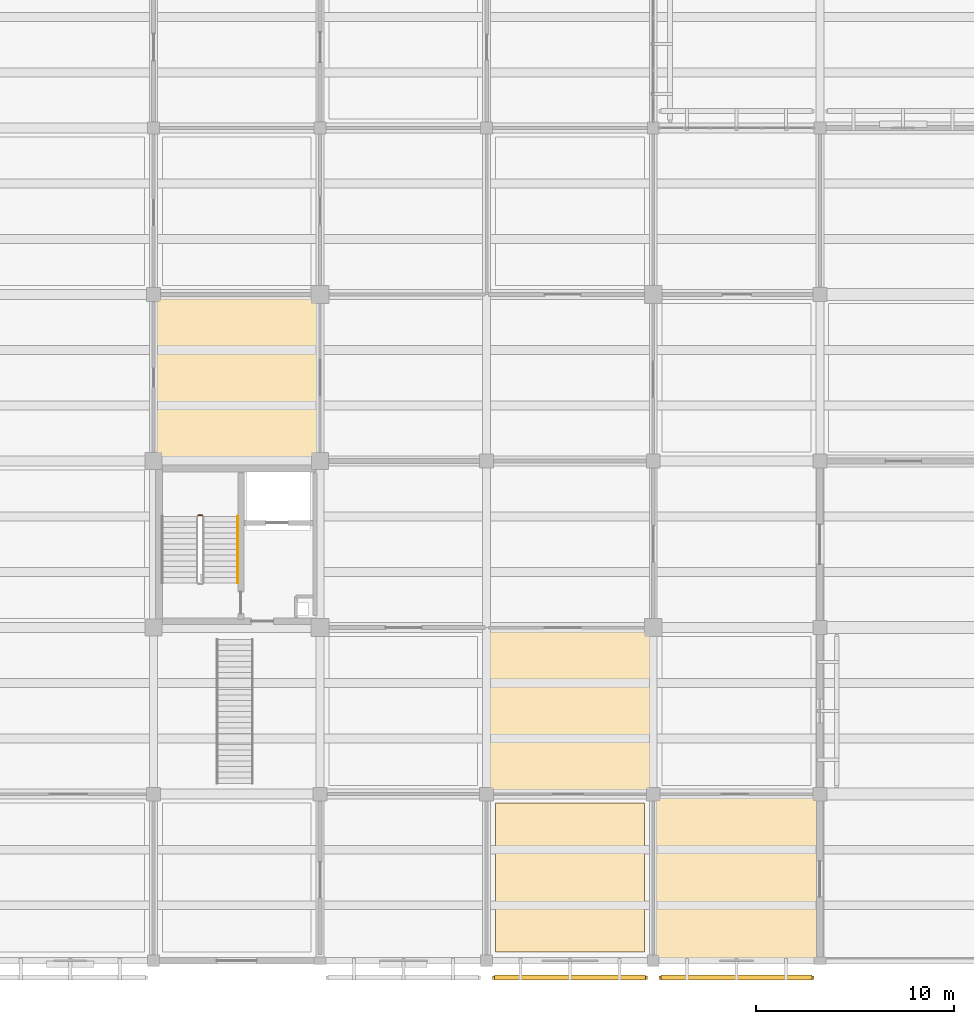
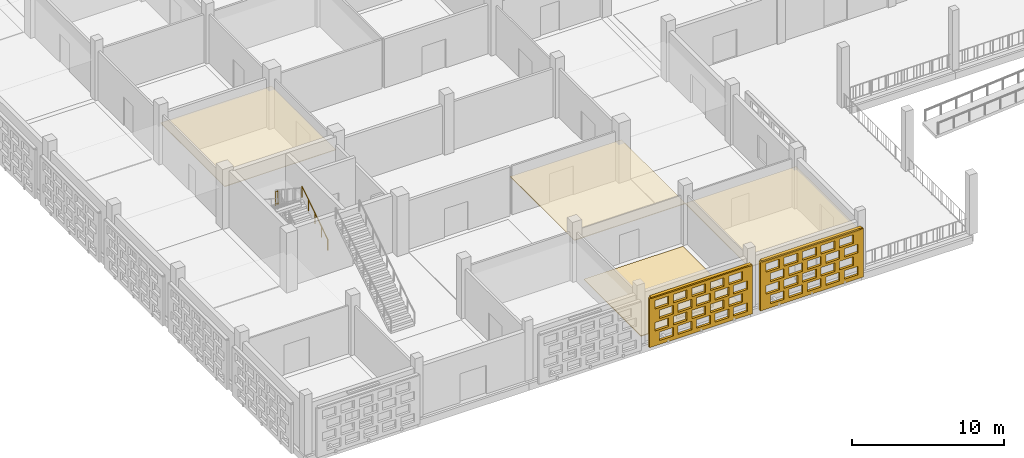
# One storey, part 83 of 129: 6 coverings, 2 railings, 2 shading devices, 40 openings.
"""IFC4 building model written with IfcOpenShell, lengths in metres."""

from ifc_helpers import new_model, si_unit, direction, frame, frame_2d, origin, origin_2d, place, context, subcontext, project, spatial, rectangle, circle, extrude, material, layer, layer_set, type_object, element, save


model = new_model("IFC4")

# Units and contexts
model_context = context("Model", 3, precision=1e-05, world=origin(), true_north=direction((0.0, 1.0)))
body_context = subcontext(model_context, "Body", "Model", "MODEL_VIEW")
ifc_project = project(units=[si_unit("LENGTHUNIT", "METRE"), si_unit("AREAUNIT", "SQUARE_METRE"), si_unit("VOLUMEUNIT", "CUBIC_METRE"), si_unit("PLANEANGLEUNIT", "RADIAN"), si_unit("MASSUNIT", "GRAM", prefix="KILO")], contexts=[model_context])

# Site, building, storey
site_placement = place(None, origin())
site = spatial("IfcSite", under=ifc_project, at=site_placement, CompositionType="ELEMENT")
building_placement = place(site_placement, origin())
building = spatial("IfcBuilding", under=site, at=building_placement, Name="Varnapada Polytechnic", CompositionType="ELEMENT")
storey_placement = place(building_placement, origin())
storey = spatial("IfcBuildingStorey", under=building, at=storey_placement, Name="L00", CompositionType="ELEMENT", Elevation=0.0)

# Covering
ifc_material_1 = material(Name="Anti-Static Raised Laboratory Flooring")
ifc_layer_1 = layer(ifc_material_1, 0.06005859375)
ifc_layer_set_1 = layer_set([ifc_layer_1], Name="Anti-Static Raised Laboratory Flooring")
covering_type_1 = type_object("IfcCoveringType", Name="Floor Finish FLR-02", PredefinedType="FLOORING", material=ifc_layer_set_1)
covering_1_placement = place(storey_placement, frame((37.800048828125, 4.199951171875, 0.0), z_axis=(0.0, 0.0, 1.0), x_axis=(1.0, 0.0, 0.0)))
element("IfcCovering", 1, at=covering_1_placement, inside=storey, type_object=covering_type_1, Name="L00 floor finish panel (5,1)", PredefinedType="FLOORING", context=body_context, shape_type="SweptSolid", body=[
    extrude(rectangle(XDim=7.5, YDim=7.5, at=origin_2d()), origin(), (0.0, 0.0, 1.0), 0.06005859375),
])

# Railings
ifc_material_2 = material(Name="Brushed Stainless Steel 316", Category="steel")
railing_type_1 = type_object("IfcRailingType", Name="Stair Wall Handrail SHR-01", PredefinedType="HANDRAIL", material=ifc_material_2)
railing_1_placement = place(storey_placement, frame((21.050048828125, 19.050048828125, 0.1845703125)))
element("IfcRailing", 2, at=railing_1_placement, inside=storey, type_object=railing_type_1, Name="L00 ST-3 stair handrail 1", PredefinedType="HANDRAIL", context=body_context, shape_type="SweptSolid", body=[
    extrude(circle(Radius=0.02392578125, at=origin_2d()), frame((0.0, 0.0, 0.8759765625), z_axis=(0.0, 0.834858096282, 0.550465220583), x_axis=(-1.0, 0.0, 0.0)), (0.0, 0.0, 1.0), 4.0244140625),
    extrude(circle(Radius=0.02099609375, at=origin_2d()), origin(), (0.0, 0.0, 1.0), 0.851806640625),
    extrude(circle(Radius=0.02099609375, at=origin_2d()), frame((0.0, 0.83984375, 0.5537109375)), (0.0, 0.0, 1.0), 0.851806640625),
    extrude(circle(Radius=0.02099609375, at=origin_2d()), frame((0.0, 1.679931640625, 1.107666015625)), (0.0, 0.0, 1.0), 0.851806640625),
    extrude(circle(Radius=0.02099609375, at=origin_2d()), frame((0.0, 2.52001953125, 1.66162109375)), (0.0, 0.0, 1.0), 0.851806640625),
    extrude(circle(Radius=0.02099609375, at=origin_2d()), frame((0.0, 3.35986328125, 2.21533203125)), (0.0, 0.0, 1.0), 0.851806640625),
])
railing_type_2 = type_object("IfcRailingType", Name="Stair Well Guard Rail SGR-01", PredefinedType="BALUSTRADE", material=ifc_material_2)
railing_2_placement = place(storey_placement, frame((19.25, 22.4599609375, 2.39990234375)))
element("IfcRailing", 3, at=railing_2_placement, inside=storey, type_object=railing_type_2, Name="L00 ST-3 stair guard 2", PredefinedType="BALUSTRADE", context=body_context, shape_type="SweptSolid", body=[
    extrude(circle(Radius=0.02392578125, at=origin_2d()), frame((0.0, 0.0, 1.09619140625), z_axis=(-1.0, 0.0, 0.0), x_axis=(0.0, -1.0, 0.0)), (0.0, 0.0, 1.0), 0.199951171875),
    extrude(circle(Radius=0.02392578125, at=origin_2d()), frame((0.0, 0.0, 0.10009765625), z_axis=(-1.0, 0.0, 0.0), x_axis=(0.0, -1.0, 0.0)), (0.0, 0.0, 1.0), 0.199951171875),
    extrude(circle(Radius=0.02099609375, at=origin_2d()), origin(), (0.0, 0.0, 1.0), 1.072021484375),
    extrude(circle(Radius=0.02099609375, at=origin_2d()), frame((-0.199951171875, 0.0, 0.0)), (0.0, 0.0, 1.0), 1.072021484375),
])

# Coverings
ifc_material_3 = material(Name="Perforated Timber Slatted Baffle Ceiling", Category="wood")
ifc_layer_2 = layer(ifc_material_3, 0.050048828125)
ifc_layer_set_2 = layer_set([ifc_layer_2], Name="Perforated Timber Slatted Baffle Ceiling")
covering_type_2 = type_object("IfcCoveringType", Name="Suspended Ceiling CLG-02", PredefinedType="CEILING", material=ifc_layer_set_2)
covering_2_placement = place(storey_placement, frame((37.800048828125, 12.60009765625, 3.02490234375), z_axis=(0.0, 0.0, 1.0), x_axis=(1.0, 0.0, 0.0)))
element("IfcCovering", 4, at=covering_2_placement, inside=storey, type_object=covering_type_2, Name="L00 suspended acoustic ceiling (5,2)", PredefinedType="CEILING", context=body_context, shape_type="SweptSolid", body=[
    extrude(rectangle(XDim=8.419921875, YDim=8.419921875, at=origin_2d()), origin(), (0.0, 0.0, 1.0), 0.050048828125),
])
ifc_material_4 = material(Name="Micro-Perforated Gypsum Acoustic Ceiling")
ifc_layer_3 = layer(ifc_material_4, 0.044921875)
ifc_layer_set_3 = layer_set([ifc_layer_3], Name="Micro-Perforated Gypsum Acoustic Ceiling")
covering_type_3 = type_object("IfcCoveringType", Name="Suspended Ceiling CLG-04", PredefinedType="CEILING", material=ifc_layer_set_3)
covering_3_placement = place(storey_placement, frame((21.0, 29.39990234375, 3.027587890625), z_axis=(0.0, 0.0, 1.0), x_axis=(1.0, 0.0, 0.0)))
element("IfcCovering", 5, at=covering_3_placement, inside=storey, type_object=covering_type_3, Name="L00 suspended acoustic ceiling (3,4)", PredefinedType="CEILING", context=body_context, shape_type="SweptSolid", body=[
    extrude(rectangle(XDim=8.419921875, YDim=8.419921875, at=origin_2d()), origin(), (0.0, 0.0, 1.0), 0.044921875),
])
ifc_material_5 = material(Name="Deep Acoustic Auditorium Cloud Baffle")
ifc_layer_4 = layer(ifc_material_5, 0.06494140625)
ifc_layer_set_4 = layer_set([ifc_layer_4], Name="Deep Acoustic Auditorium Cloud Baffle")
covering_type_4 = type_object("IfcCoveringType", Name="Suspended Ceiling CLG-07", PredefinedType="CEILING", material=ifc_layer_set_4)
covering_4_placement = place(storey_placement, frame((46.199951171875, 4.199951171875, 3.017578125), z_axis=(0.0, 0.0, 1.0), x_axis=(1.0, 0.0, 0.0)))
element("IfcCovering", 6, at=covering_4_placement, inside=storey, type_object=covering_type_4, Name="L00 suspended acoustic ceiling (6,1)", PredefinedType="CEILING", context=body_context, shape_type="SweptSolid", body=[
    extrude(rectangle(XDim=8.419921875, YDim=8.419921875, at=origin_2d()), origin(), (0.0, 0.0, 1.0), 0.06494140625),
])

# Covering, openings
ifc_material_6 = material(Name="Earth-toned architectural terracotta screen block", Category="masonry")
ifc_layer_5 = layer(ifc_material_6, 0.1201171875)
ifc_layer_set_5 = layer_set([ifc_layer_5], Name="Earth-toned architectural terracotta screen block")
covering_type_5 = type_object("IfcCoveringType", Name="Terracotta Screen Cladding CLD-01", PredefinedType="CLADDING", material=ifc_layer_set_5)
covering_5_placement = place(storey_placement, frame((41.699951171875, -0.85009765625, 0.0), z_axis=(0.0, 0.0, 1.0), x_axis=(-1.0, 0.0, 0.0)))
covering_5 = element("IfcCovering", 7, at=covering_5_placement, inside=storey, type_object=covering_type_5, Name="L00 perforated terracotta block screen (24)", PredefinedType="CLADDING", context=body_context, shape_type="SweptSolid", body=[
    extrude(rectangle(XDim=7.800048828125, YDim=0.179931640625, at=frame_2d((3.89990234375, 0.0))), origin(), (0.0, 0.0, 1.0), 3.919921875),
])
opening_1_placement = place(covering_5_placement, frame((0.39990234375, 0.0, 0.313720703125)))
element("IfcOpeningElement", 8, at=opening_1_placement, cuts=covering_5, Name="Screen perforation TBS-L00-023.1", PredefinedType="OPENING", context=body_context, shape_type="SweptSolid", body=[
    extrude(rectangle(XDim=1.0400390625, YDim=0.679931640625, at=frame_2d((0.52001953125, 0.33984375))), frame((0.0, 0.099853515625, 0.0), z_axis=(0.0, -1.0, 0.0), x_axis=(1.0, 0.0, 0.0)), (0.0, 0.0, 1.0), 0.199951171875),
])
opening_2_placement = place(covering_5_placement, frame((1.800048828125, 0.0, 0.313720703125)))
element("IfcOpeningElement", 9, at=opening_2_placement, cuts=covering_5, Name="Screen perforation TBS-L00-023.2", PredefinedType="OPENING", context=body_context, shape_type="SweptSolid", body=[
    extrude(rectangle(XDim=1.0400390625, YDim=0.679931640625, at=frame_2d((0.52001953125, 0.33984375))), frame((0.0, 0.099853515625, 0.0), z_axis=(0.0, -1.0, 0.0), x_axis=(1.0, 0.0, 0.0)), (0.0, 0.0, 1.0), 0.199951171875),
])
opening_3_placement = place(covering_5_placement, frame((3.199951171875, 0.0, 0.313720703125)))
element("IfcOpeningElement", 10, at=opening_3_placement, cuts=covering_5, Name="Screen perforation TBS-L00-023.3", PredefinedType="OPENING", context=body_context, shape_type="SweptSolid", body=[
    extrude(rectangle(XDim=1.0400390625, YDim=0.679931640625, at=frame_2d((0.52001953125, 0.33984375))), frame((0.0, 0.099853515625, 0.0), z_axis=(0.0, -1.0, 0.0), x_axis=(1.0, 0.0, 0.0)), (0.0, 0.0, 1.0), 0.199951171875),
])
opening_4_placement = place(covering_5_placement, frame((4.60009765625, 0.0, 0.313720703125)))
element("IfcOpeningElement", 11, at=opening_4_placement, cuts=covering_5, Name="Screen perforation TBS-L00-023.4", PredefinedType="OPENING", context=body_context, shape_type="SweptSolid", body=[
    extrude(rectangle(XDim=1.0400390625, YDim=0.679931640625, at=frame_2d((0.52001953125, 0.33984375))), frame((0.0, 0.099853515625, 0.0), z_axis=(0.0, -1.0, 0.0), x_axis=(1.0, 0.0, 0.0)), (0.0, 0.0, 1.0), 0.199951171875),
])
opening_5_placement = place(covering_5_placement, frame((6.0, 0.0, 0.313720703125)))
element("IfcOpeningElement", 12, at=opening_5_placement, cuts=covering_5, Name="Screen perforation TBS-L00-023.5", PredefinedType="OPENING", context=body_context, shape_type="SweptSolid", body=[
    extrude(rectangle(XDim=1.0400390625, YDim=0.679931640625, at=frame_2d((0.52001953125, 0.33984375))), frame((0.0, 0.099853515625, 0.0), z_axis=(0.0, -1.0, 0.0), x_axis=(1.0, 0.0, 0.0)), (0.0, 0.0, 1.0), 0.199951171875),
])
opening_6_placement = place(covering_5_placement, frame((0.760009765625, 0.0, 1.195556640625)))
element("IfcOpeningElement", 13, at=opening_6_placement, cuts=covering_5, Name="Screen perforation TBS-L00-023.6", PredefinedType="OPENING", context=body_context, shape_type="SweptSolid", body=[
    extrude(rectangle(XDim=1.0400390625, YDim=0.679931640625, at=frame_2d((0.52001953125, 0.33984375))), frame((0.0, 0.099853515625, 0.0), z_axis=(0.0, -1.0, 0.0), x_axis=(1.0, 0.0, 0.0)), (0.0, 0.0, 1.0), 0.199951171875),
])
opening_7_placement = place(covering_5_placement, frame((2.159912109375, 0.0, 1.195556640625)))
element("IfcOpeningElement", 14, at=opening_7_placement, cuts=covering_5, Name="Screen perforation TBS-L00-023.7", PredefinedType="OPENING", context=body_context, shape_type="SweptSolid", body=[
    extrude(rectangle(XDim=1.0400390625, YDim=0.679931640625, at=frame_2d((0.52001953125, 0.33984375))), frame((0.0, 0.099853515625, 0.0), z_axis=(0.0, -1.0, 0.0), x_axis=(1.0, 0.0, 0.0)), (0.0, 0.0, 1.0), 0.199951171875),
])
opening_8_placement = place(covering_5_placement, frame((3.56005859375, 0.0, 1.195556640625)))
element("IfcOpeningElement", 15, at=opening_8_placement, cuts=covering_5, Name="Screen perforation TBS-L00-023.8", PredefinedType="OPENING", context=body_context, shape_type="SweptSolid", body=[
    extrude(rectangle(XDim=1.0400390625, YDim=0.679931640625, at=frame_2d((0.52001953125, 0.33984375))), frame((0.0, 0.099853515625, 0.0), z_axis=(0.0, -1.0, 0.0), x_axis=(1.0, 0.0, 0.0)), (0.0, 0.0, 1.0), 0.199951171875),
])
opening_9_placement = place(covering_5_placement, frame((4.9599609375, 0.0, 1.195556640625)))
element("IfcOpeningElement", 16, at=opening_9_placement, cuts=covering_5, Name="Screen perforation TBS-L00-023.9", PredefinedType="OPENING", context=body_context, shape_type="SweptSolid", body=[
    extrude(rectangle(XDim=1.0400390625, YDim=0.679931640625, at=frame_2d((0.52001953125, 0.33984375))), frame((0.0, 0.099853515625, 0.0), z_axis=(0.0, -1.0, 0.0), x_axis=(1.0, 0.0, 0.0)), (0.0, 0.0, 1.0), 0.199951171875),
])
opening_10_placement = place(covering_5_placement, frame((6.360107421875, 0.0, 1.195556640625)))
element("IfcOpeningElement", 17, at=opening_10_placement, cuts=covering_5, Name="Screen perforation TBS-L00-023.10", PredefinedType="OPENING", context=body_context, shape_type="SweptSolid", body=[
    extrude(rectangle(XDim=1.0400390625, YDim=0.679931640625, at=frame_2d((0.52001953125, 0.33984375))), frame((0.0, 0.099853515625, 0.0), z_axis=(0.0, -1.0, 0.0), x_axis=(1.0, 0.0, 0.0)), (0.0, 0.0, 1.0), 0.199951171875),
])
opening_11_placement = place(covering_5_placement, frame((0.39990234375, 0.0, 2.07763671875)))
element("IfcOpeningElement", 18, at=opening_11_placement, cuts=covering_5, Name="Screen perforation TBS-L00-023.11", PredefinedType="OPENING", context=body_context, shape_type="SweptSolid", body=[
    extrude(rectangle(XDim=1.0400390625, YDim=0.679931640625, at=frame_2d((0.52001953125, 0.33984375))), frame((0.0, 0.099853515625, 0.0), z_axis=(0.0, -1.0, 0.0), x_axis=(1.0, 0.0, 0.0)), (0.0, 0.0, 1.0), 0.199951171875),
])
opening_12_placement = place(covering_5_placement, frame((1.800048828125, 0.0, 2.07763671875)))
element("IfcOpeningElement", 19, at=opening_12_placement, cuts=covering_5, Name="Screen perforation TBS-L00-023.12", PredefinedType="OPENING", context=body_context, shape_type="SweptSolid", body=[
    extrude(rectangle(XDim=1.0400390625, YDim=0.679931640625, at=frame_2d((0.52001953125, 0.33984375))), frame((0.0, 0.099853515625, 0.0), z_axis=(0.0, -1.0, 0.0), x_axis=(1.0, 0.0, 0.0)), (0.0, 0.0, 1.0), 0.199951171875),
])
opening_13_placement = place(covering_5_placement, frame((3.199951171875, 0.0, 2.07763671875)))
element("IfcOpeningElement", 20, at=opening_13_placement, cuts=covering_5, Name="Screen perforation TBS-L00-023.13", PredefinedType="OPENING", context=body_context, shape_type="SweptSolid", body=[
    extrude(rectangle(XDim=1.0400390625, YDim=0.679931640625, at=frame_2d((0.52001953125, 0.33984375))), frame((0.0, 0.099853515625, 0.0), z_axis=(0.0, -1.0, 0.0), x_axis=(1.0, 0.0, 0.0)), (0.0, 0.0, 1.0), 0.199951171875),
])
opening_14_placement = place(covering_5_placement, frame((4.60009765625, 0.0, 2.07763671875)))
element("IfcOpeningElement", 21, at=opening_14_placement, cuts=covering_5, Name="Screen perforation TBS-L00-023.14", PredefinedType="OPENING", context=body_context, shape_type="SweptSolid", body=[
    extrude(rectangle(XDim=1.0400390625, YDim=0.679931640625, at=frame_2d((0.52001953125, 0.33984375))), frame((0.0, 0.099853515625, 0.0), z_axis=(0.0, -1.0, 0.0), x_axis=(1.0, 0.0, 0.0)), (0.0, 0.0, 1.0), 0.199951171875),
])
opening_15_placement = place(covering_5_placement, frame((6.0, 0.0, 2.07763671875)))
element("IfcOpeningElement", 22, at=opening_15_placement, cuts=covering_5, Name="Screen perforation TBS-L00-023.15", PredefinedType="OPENING", context=body_context, shape_type="SweptSolid", body=[
    extrude(rectangle(XDim=1.0400390625, YDim=0.679931640625, at=frame_2d((0.52001953125, 0.33984375))), frame((0.0, 0.099853515625, 0.0), z_axis=(0.0, -1.0, 0.0), x_axis=(1.0, 0.0, 0.0)), (0.0, 0.0, 1.0), 0.199951171875),
])
opening_16_placement = place(covering_5_placement, frame((0.760009765625, 0.0, 2.959716796875)))
element("IfcOpeningElement", 23, at=opening_16_placement, cuts=covering_5, Name="Screen perforation TBS-L00-023.16", PredefinedType="OPENING", context=body_context, shape_type="SweptSolid", body=[
    extrude(rectangle(XDim=1.0400390625, YDim=0.679931640625, at=frame_2d((0.52001953125, 0.33984375))), frame((0.0, 0.099853515625, 0.0), z_axis=(0.0, -1.0, 0.0), x_axis=(1.0, 0.0, 0.0)), (0.0, 0.0, 1.0), 0.199951171875),
])
opening_17_placement = place(covering_5_placement, frame((2.159912109375, 0.0, 2.959716796875)))
element("IfcOpeningElement", 24, at=opening_17_placement, cuts=covering_5, Name="Screen perforation TBS-L00-023.17", PredefinedType="OPENING", context=body_context, shape_type="SweptSolid", body=[
    extrude(rectangle(XDim=1.0400390625, YDim=0.679931640625, at=frame_2d((0.52001953125, 0.33984375))), frame((0.0, 0.099853515625, 0.0), z_axis=(0.0, -1.0, 0.0), x_axis=(1.0, 0.0, 0.0)), (0.0, 0.0, 1.0), 0.199951171875),
])
opening_18_placement = place(covering_5_placement, frame((3.56005859375, 0.0, 2.959716796875)))
element("IfcOpeningElement", 25, at=opening_18_placement, cuts=covering_5, Name="Screen perforation TBS-L00-023.18", PredefinedType="OPENING", context=body_context, shape_type="SweptSolid", body=[
    extrude(rectangle(XDim=1.0400390625, YDim=0.679931640625, at=frame_2d((0.52001953125, 0.33984375))), frame((0.0, 0.099853515625, 0.0), z_axis=(0.0, -1.0, 0.0), x_axis=(1.0, 0.0, 0.0)), (0.0, 0.0, 1.0), 0.199951171875),
])
opening_19_placement = place(covering_5_placement, frame((4.9599609375, 0.0, 2.959716796875)))
element("IfcOpeningElement", 26, at=opening_19_placement, cuts=covering_5, Name="Screen perforation TBS-L00-023.19", PredefinedType="OPENING", context=body_context, shape_type="SweptSolid", body=[
    extrude(rectangle(XDim=1.0400390625, YDim=0.679931640625, at=frame_2d((0.52001953125, 0.33984375))), frame((0.0, 0.099853515625, 0.0), z_axis=(0.0, -1.0, 0.0), x_axis=(1.0, 0.0, 0.0)), (0.0, 0.0, 1.0), 0.199951171875),
])
opening_20_placement = place(covering_5_placement, frame((6.360107421875, 0.0, 2.959716796875)))
element("IfcOpeningElement", 27, at=opening_20_placement, cuts=covering_5, Name="Screen perforation TBS-L00-023.20", PredefinedType="OPENING", context=body_context, shape_type="SweptSolid", body=[
    extrude(rectangle(XDim=1.0400390625, YDim=0.679931640625, at=frame_2d((0.52001953125, 0.33984375))), frame((0.0, 0.099853515625, 0.0), z_axis=(0.0, -1.0, 0.0), x_axis=(1.0, 0.0, 0.0)), (0.0, 0.0, 1.0), 0.199951171875),
])

covering_6_placement = place(storey_placement, frame((50.10009765625, -0.85009765625, 0.0), z_axis=(0.0, 0.0, 1.0), x_axis=(-1.0, 0.0, 0.0)))
covering_6 = element("IfcCovering", 28, at=covering_6_placement, inside=storey, type_object=covering_type_5, Name="L00 perforated terracotta block screen (32)", PredefinedType="CLADDING", context=body_context, shape_type="SweptSolid", body=[
    extrude(rectangle(XDim=7.800048828125, YDim=0.179931640625, at=frame_2d((3.89990234375, 0.0))), origin(), (0.0, 0.0, 1.0), 3.919921875),
])
opening_21_placement = place(covering_6_placement, frame((0.39990234375, 0.0, 0.313720703125)))
element("IfcOpeningElement", 29, at=opening_21_placement, cuts=covering_6, Name="Screen perforation TBS-L00-031.1", PredefinedType="OPENING", context=body_context, shape_type="SweptSolid", body=[
    extrude(rectangle(XDim=1.0400390625, YDim=0.679931640625, at=frame_2d((0.52001953125, 0.33984375))), frame((0.0, 0.099853515625, 0.0), z_axis=(0.0, -1.0, 0.0), x_axis=(1.0, 0.0, 0.0)), (0.0, 0.0, 1.0), 0.199951171875),
])
opening_22_placement = place(covering_6_placement, frame((1.800048828125, 0.0, 0.313720703125)))
element("IfcOpeningElement", 30, at=opening_22_placement, cuts=covering_6, Name="Screen perforation TBS-L00-031.2", PredefinedType="OPENING", context=body_context, shape_type="SweptSolid", body=[
    extrude(rectangle(XDim=1.0400390625, YDim=0.679931640625, at=frame_2d((0.52001953125, 0.33984375))), frame((0.0, 0.099853515625, 0.0), z_axis=(0.0, -1.0, 0.0), x_axis=(1.0, 0.0, 0.0)), (0.0, 0.0, 1.0), 0.199951171875),
])
opening_23_placement = place(covering_6_placement, frame((3.199951171875, 0.0, 0.313720703125)))
element("IfcOpeningElement", 31, at=opening_23_placement, cuts=covering_6, Name="Screen perforation TBS-L00-031.3", PredefinedType="OPENING", context=body_context, shape_type="SweptSolid", body=[
    extrude(rectangle(XDim=1.0400390625, YDim=0.679931640625, at=frame_2d((0.52001953125, 0.33984375))), frame((0.0, 0.099853515625, 0.0), z_axis=(0.0, -1.0, 0.0), x_axis=(1.0, 0.0, 0.0)), (0.0, 0.0, 1.0), 0.199951171875),
])
opening_24_placement = place(covering_6_placement, frame((4.60009765625, 0.0, 0.313720703125)))
element("IfcOpeningElement", 32, at=opening_24_placement, cuts=covering_6, Name="Screen perforation TBS-L00-031.4", PredefinedType="OPENING", context=body_context, shape_type="SweptSolid", body=[
    extrude(rectangle(XDim=1.0400390625, YDim=0.679931640625, at=frame_2d((0.52001953125, 0.33984375))), frame((0.0, 0.099853515625, 0.0), z_axis=(0.0, -1.0, 0.0), x_axis=(1.0, 0.0, 0.0)), (0.0, 0.0, 1.0), 0.199951171875),
])
opening_25_placement = place(covering_6_placement, frame((6.0, 0.0, 0.313720703125)))
element("IfcOpeningElement", 33, at=opening_25_placement, cuts=covering_6, Name="Screen perforation TBS-L00-031.5", PredefinedType="OPENING", context=body_context, shape_type="SweptSolid", body=[
    extrude(rectangle(XDim=1.0400390625, YDim=0.679931640625, at=frame_2d((0.52001953125, 0.33984375))), frame((0.0, 0.099853515625, 0.0), z_axis=(0.0, -1.0, 0.0), x_axis=(1.0, 0.0, 0.0)), (0.0, 0.0, 1.0), 0.199951171875),
])
opening_26_placement = place(covering_6_placement, frame((0.760009765625, 0.0, 1.195556640625)))
element("IfcOpeningElement", 34, at=opening_26_placement, cuts=covering_6, Name="Screen perforation TBS-L00-031.6", PredefinedType="OPENING", context=body_context, shape_type="SweptSolid", body=[
    extrude(rectangle(XDim=1.0400390625, YDim=0.679931640625, at=frame_2d((0.52001953125, 0.33984375))), frame((0.0, 0.099853515625, 0.0), z_axis=(0.0, -1.0, 0.0), x_axis=(1.0, 0.0, 0.0)), (0.0, 0.0, 1.0), 0.199951171875),
])
opening_27_placement = place(covering_6_placement, frame((2.159912109375, 0.0, 1.195556640625)))
element("IfcOpeningElement", 35, at=opening_27_placement, cuts=covering_6, Name="Screen perforation TBS-L00-031.7", PredefinedType="OPENING", context=body_context, shape_type="SweptSolid", body=[
    extrude(rectangle(XDim=1.0400390625, YDim=0.679931640625, at=frame_2d((0.52001953125, 0.33984375))), frame((0.0, 0.099853515625, 0.0), z_axis=(0.0, -1.0, 0.0), x_axis=(1.0, 0.0, 0.0)), (0.0, 0.0, 1.0), 0.199951171875),
])
opening_28_placement = place(covering_6_placement, frame((3.56005859375, 0.0, 1.195556640625)))
element("IfcOpeningElement", 36, at=opening_28_placement, cuts=covering_6, Name="Screen perforation TBS-L00-031.8", PredefinedType="OPENING", context=body_context, shape_type="SweptSolid", body=[
    extrude(rectangle(XDim=1.0400390625, YDim=0.679931640625, at=frame_2d((0.52001953125, 0.33984375))), frame((0.0, 0.099853515625, 0.0), z_axis=(0.0, -1.0, 0.0), x_axis=(1.0, 0.0, 0.0)), (0.0, 0.0, 1.0), 0.199951171875),
])
opening_29_placement = place(covering_6_placement, frame((4.9599609375, 0.0, 1.195556640625)))
element("IfcOpeningElement", 37, at=opening_29_placement, cuts=covering_6, Name="Screen perforation TBS-L00-031.9", PredefinedType="OPENING", context=body_context, shape_type="SweptSolid", body=[
    extrude(rectangle(XDim=1.0400390625, YDim=0.679931640625, at=frame_2d((0.52001953125, 0.33984375))), frame((0.0, 0.099853515625, 0.0), z_axis=(0.0, -1.0, 0.0), x_axis=(1.0, 0.0, 0.0)), (0.0, 0.0, 1.0), 0.199951171875),
])
opening_30_placement = place(covering_6_placement, frame((6.360107421875, 0.0, 1.195556640625)))
element("IfcOpeningElement", 38, at=opening_30_placement, cuts=covering_6, Name="Screen perforation TBS-L00-031.10", PredefinedType="OPENING", context=body_context, shape_type="SweptSolid", body=[
    extrude(rectangle(XDim=1.0400390625, YDim=0.679931640625, at=frame_2d((0.52001953125, 0.33984375))), frame((0.0, 0.099853515625, 0.0), z_axis=(0.0, -1.0, 0.0), x_axis=(1.0, 0.0, 0.0)), (0.0, 0.0, 1.0), 0.199951171875),
])
opening_31_placement = place(covering_6_placement, frame((0.39990234375, 0.0, 2.07763671875)))
element("IfcOpeningElement", 39, at=opening_31_placement, cuts=covering_6, Name="Screen perforation TBS-L00-031.11", PredefinedType="OPENING", context=body_context, shape_type="SweptSolid", body=[
    extrude(rectangle(XDim=1.0400390625, YDim=0.679931640625, at=frame_2d((0.52001953125, 0.33984375))), frame((0.0, 0.099853515625, 0.0), z_axis=(0.0, -1.0, 0.0), x_axis=(1.0, 0.0, 0.0)), (0.0, 0.0, 1.0), 0.199951171875),
])
opening_32_placement = place(covering_6_placement, frame((1.800048828125, 0.0, 2.07763671875)))
element("IfcOpeningElement", 40, at=opening_32_placement, cuts=covering_6, Name="Screen perforation TBS-L00-031.12", PredefinedType="OPENING", context=body_context, shape_type="SweptSolid", body=[
    extrude(rectangle(XDim=1.0400390625, YDim=0.679931640625, at=frame_2d((0.52001953125, 0.33984375))), frame((0.0, 0.099853515625, 0.0), z_axis=(0.0, -1.0, 0.0), x_axis=(1.0, 0.0, 0.0)), (0.0, 0.0, 1.0), 0.199951171875),
])
opening_33_placement = place(covering_6_placement, frame((3.199951171875, 0.0, 2.07763671875)))
element("IfcOpeningElement", 41, at=opening_33_placement, cuts=covering_6, Name="Screen perforation TBS-L00-031.13", PredefinedType="OPENING", context=body_context, shape_type="SweptSolid", body=[
    extrude(rectangle(XDim=1.0400390625, YDim=0.679931640625, at=frame_2d((0.52001953125, 0.33984375))), frame((0.0, 0.099853515625, 0.0), z_axis=(0.0, -1.0, 0.0), x_axis=(1.0, 0.0, 0.0)), (0.0, 0.0, 1.0), 0.199951171875),
])
opening_34_placement = place(covering_6_placement, frame((4.60009765625, 0.0, 2.07763671875)))
element("IfcOpeningElement", 42, at=opening_34_placement, cuts=covering_6, Name="Screen perforation TBS-L00-031.14", PredefinedType="OPENING", context=body_context, shape_type="SweptSolid", body=[
    extrude(rectangle(XDim=1.0400390625, YDim=0.679931640625, at=frame_2d((0.52001953125, 0.33984375))), frame((0.0, 0.099853515625, 0.0), z_axis=(0.0, -1.0, 0.0), x_axis=(1.0, 0.0, 0.0)), (0.0, 0.0, 1.0), 0.199951171875),
])
opening_35_placement = place(covering_6_placement, frame((6.0, 0.0, 2.07763671875)))
element("IfcOpeningElement", 43, at=opening_35_placement, cuts=covering_6, Name="Screen perforation TBS-L00-031.15", PredefinedType="OPENING", context=body_context, shape_type="SweptSolid", body=[
    extrude(rectangle(XDim=1.0400390625, YDim=0.679931640625, at=frame_2d((0.52001953125, 0.33984375))), frame((0.0, 0.099853515625, 0.0), z_axis=(0.0, -1.0, 0.0), x_axis=(1.0, 0.0, 0.0)), (0.0, 0.0, 1.0), 0.199951171875),
])
opening_36_placement = place(covering_6_placement, frame((0.760009765625, 0.0, 2.959716796875)))
element("IfcOpeningElement", 44, at=opening_36_placement, cuts=covering_6, Name="Screen perforation TBS-L00-031.16", PredefinedType="OPENING", context=body_context, shape_type="SweptSolid", body=[
    extrude(rectangle(XDim=1.0400390625, YDim=0.679931640625, at=frame_2d((0.52001953125, 0.33984375))), frame((0.0, 0.099853515625, 0.0), z_axis=(0.0, -1.0, 0.0), x_axis=(1.0, 0.0, 0.0)), (0.0, 0.0, 1.0), 0.199951171875),
])
opening_37_placement = place(covering_6_placement, frame((2.159912109375, 0.0, 2.959716796875)))
element("IfcOpeningElement", 45, at=opening_37_placement, cuts=covering_6, Name="Screen perforation TBS-L00-031.17", PredefinedType="OPENING", context=body_context, shape_type="SweptSolid", body=[
    extrude(rectangle(XDim=1.0400390625, YDim=0.679931640625, at=frame_2d((0.52001953125, 0.33984375))), frame((0.0, 0.099853515625, 0.0), z_axis=(0.0, -1.0, 0.0), x_axis=(1.0, 0.0, 0.0)), (0.0, 0.0, 1.0), 0.199951171875),
])
opening_38_placement = place(covering_6_placement, frame((3.56005859375, 0.0, 2.959716796875)))
element("IfcOpeningElement", 46, at=opening_38_placement, cuts=covering_6, Name="Screen perforation TBS-L00-031.18", PredefinedType="OPENING", context=body_context, shape_type="SweptSolid", body=[
    extrude(rectangle(XDim=1.0400390625, YDim=0.679931640625, at=frame_2d((0.52001953125, 0.33984375))), frame((0.0, 0.099853515625, 0.0), z_axis=(0.0, -1.0, 0.0), x_axis=(1.0, 0.0, 0.0)), (0.0, 0.0, 1.0), 0.199951171875),
])
opening_39_placement = place(covering_6_placement, frame((4.9599609375, 0.0, 2.959716796875)))
element("IfcOpeningElement", 47, at=opening_39_placement, cuts=covering_6, Name="Screen perforation TBS-L00-031.19", PredefinedType="OPENING", context=body_context, shape_type="SweptSolid", body=[
    extrude(rectangle(XDim=1.0400390625, YDim=0.679931640625, at=frame_2d((0.52001953125, 0.33984375))), frame((0.0, 0.099853515625, 0.0), z_axis=(0.0, -1.0, 0.0), x_axis=(1.0, 0.0, 0.0)), (0.0, 0.0, 1.0), 0.199951171875),
])
opening_40_placement = place(covering_6_placement, frame((6.360107421875, 0.0, 2.959716796875)))
element("IfcOpeningElement", 48, at=opening_40_placement, cuts=covering_6, Name="Screen perforation TBS-L00-031.20", PredefinedType="OPENING", context=body_context, shape_type="SweptSolid", body=[
    extrude(rectangle(XDim=1.0400390625, YDim=0.679931640625, at=frame_2d((0.52001953125, 0.33984375))), frame((0.0, 0.099853515625, 0.0), z_axis=(0.0, -1.0, 0.0), x_axis=(1.0, 0.0, 0.0)), (0.0, 0.0, 1.0), 0.199951171875),
])

# Shading devices
ifc_layer_6 = layer(ifc_material_6, 0.179931640625)
ifc_layer_set_6 = layer_set([ifc_layer_6], Name="Earth-toned architectural terracotta screen block")
shading_device_type = type_object("IfcShadingDeviceType", Name="Terracotta Screen SCR-02", PredefinedType="USERDEFINED", material=ifc_layer_set_6)
for number, where, z_axis, x_axis, name in (
    (49, (37.800048828125, -0.85009765625, 3.909912109375), (0.0, 0.0, 1.0), (-1.0, 0.0, 0.0), "L00 perforated terracotta screen hood 19"),
    (50, (46.199951171875, -0.85009765625, 3.909912109375), (0.0, 0.0, 1.0), (-1.0, 0.0, 0.0), "L00 perforated terracotta screen hood 27"),
):
    element("IfcShadingDevice", number, at=place(storey_placement, frame(where, z_axis=z_axis, x_axis=x_axis)), inside=storey, type_object=shading_device_type, Name=name, ObjectType="SCREEN", PredefinedType="USERDEFINED", context=body_context, shape_type="SweptSolid", body=[
        extrude(rectangle(XDim=7.60009765625, YDim=0.239990234375, at=origin_2d()), origin(), (0.0, 0.0, 1.0), 0.10009765625),
    ])

save(model, "model.ifc")
